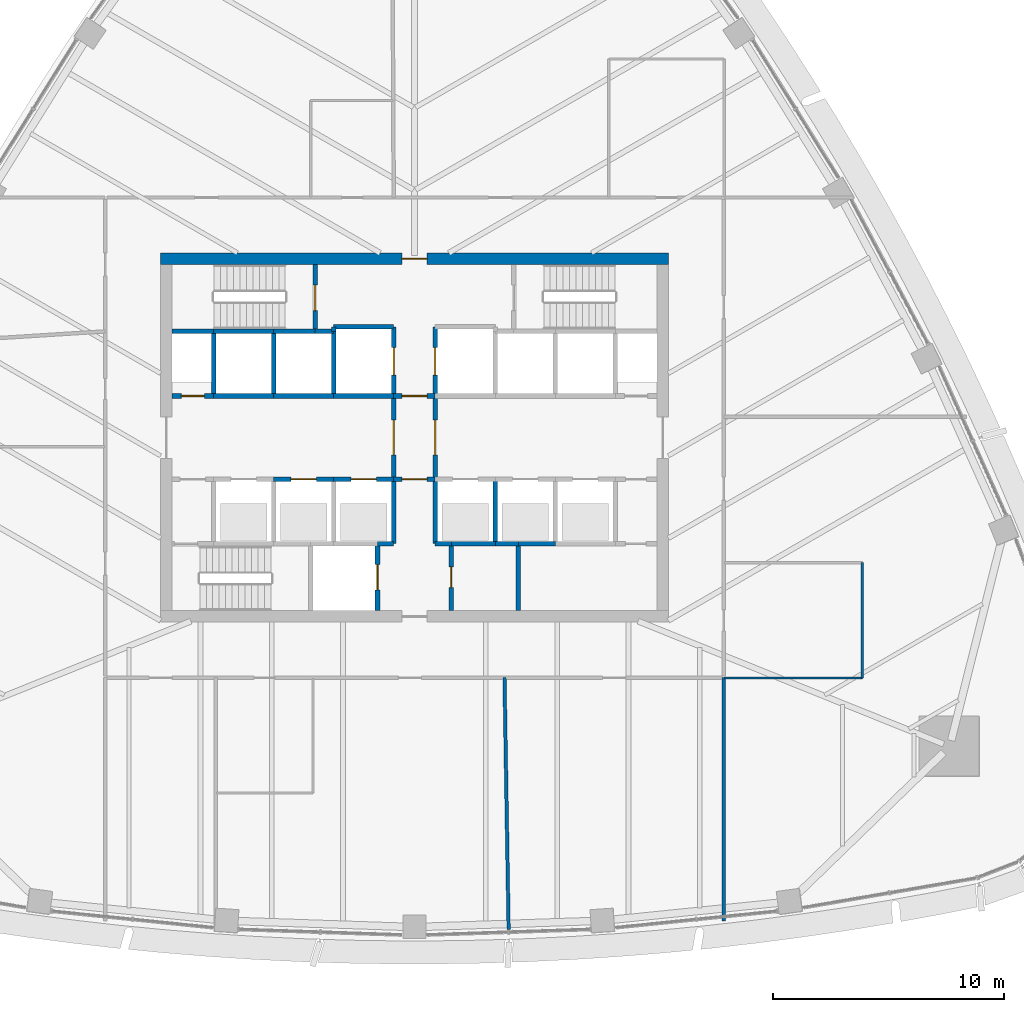
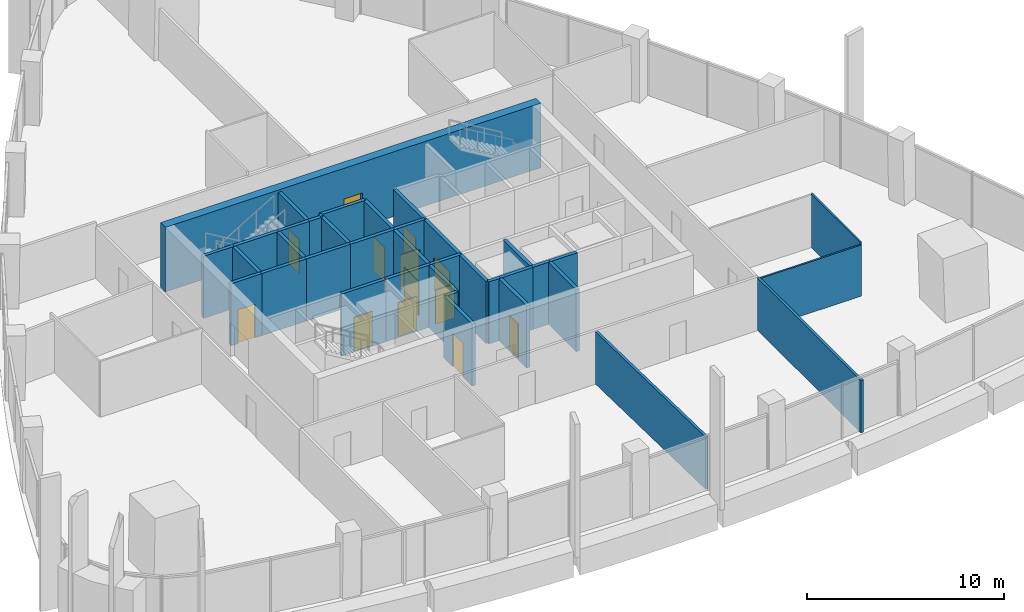
# One storey, part 10 of 19: 38 walls, 13 doors, 13 openings.
"""IFC4 building model written with IfcOpenShell, lengths in metres."""

import ifcopenshell
import ifcopenshell.guid

model = None  # the IFC model being written
_history = None  # IfcOwnerHistory: only IFC2X3 demands one
_inside = {}  # id of a spatial element -> (the spatial element, [elements in it])
_under = {}  # id of a project, library or spatial element -> (it, [spatial elements below it])
_declared = {}  # id of a project -> (the project, [libraries it declares])
_typed = {}  # id of a type object -> (the type object, [elements of that type])
_made_of = {}  # id of a material, layer set ... -> (it, [elements and type objects made of it])


def new_model(schema):
    """Start an empty IFC model of exactly this schema.

    Asked for "IFC4X3", IfcOpenShell would pick the latest addendum, in which some entities
    have other attributes; the version numbers below select the first issue.
    IFC2X3 requires an IfcOwnerHistory on every rooted entity: one is made here for all.
    """
    global model, _history
    if schema == "IFC4X3":
        model = ifcopenshell.file(schema_version=(4, 3, 0, 0))
    else:
        model = ifcopenshell.file(schema=schema)
    _inside.clear()
    _under.clear()
    _declared.clear()
    _typed.clear()
    _made_of.clear()
    _history = None
    if model.schema == "IFC2X3":
        org = make("IfcOrganization", Name="unknown")
        user = make(
            "IfcPersonAndOrganization",
            ThePerson=make("IfcPerson", FamilyName="unknown"),
            TheOrganization=org,
        )
        app = make(
            "IfcApplication",
            ApplicationDeveloper=org,
            Version="unknown",
            ApplicationFullName="unknown",
            ApplicationIdentifier="unknown",
        )
        _history = make(
            "IfcOwnerHistory",
            OwningUser=user,
            OwningApplication=app,
            ChangeAction="ADDED",
            CreationDate=0,
        )
    return model


def make(cls, **values):
    """One entity of the class cls with the attributes given. An attribute that is None is left unset."""
    return model.create_entity(
        cls, **{name: value for name, value in values.items() if value is not None}
    )


def rooted(cls, **values):
    """An entity with a GlobalId (a new one), such as an element, a storey or a relation."""
    return make(cls, GlobalId=ifcopenshell.guid.new(), OwnerHistory=_history, **values)


def si_unit(unit_type, name, prefix=None):
    """IfcSIUnit, for example si_unit("LENGTHUNIT", "METRE", prefix="MILLI")."""
    return make("IfcSIUnit", UnitType=unit_type, Prefix=prefix, Name=name)


def assignment(units):
    """IfcUnitAssignment: the units of a project."""
    return None if units is None else make("IfcUnitAssignment", Units=units)


def point(xyz):
    """IfcCartesianPoint."""
    return None if xyz is None else make("IfcCartesianPoint", Coordinates=xyz)


def direction(xyz):
    """IfcDirection."""
    return None if xyz is None else make("IfcDirection", DirectionRatios=xyz)


def frame(location, z_axis=None, x_axis=None):
    """IfcAxis2Placement3D, a coordinate frame: its origin and axes. An axis left out is left unset."""
    return make(
        "IfcAxis2Placement3D",
        Location=point(location),
        Axis=direction(z_axis),
        RefDirection=direction(x_axis),
    )


def frame_2d(location, x_axis=None):
    """IfcAxis2Placement2D, a coordinate frame in the plane: its origin and x axis."""
    return make(
        "IfcAxis2Placement2D", Location=point(location), RefDirection=direction(x_axis)
    )


def origin():
    """The frame at (0, 0, 0) with its axes left unset."""
    return frame((0.0, 0.0, 0.0))


def place(relative_to, where):
    """IfcLocalPlacement: puts the frame where relative to a parent placement (None: the world)."""
    return make(
        "IfcLocalPlacement", PlacementRelTo=relative_to, RelativePlacement=where
    )


def context(
    kind, dimensions, precision=None, world=None, true_north=None, identifier=None
):
    """IfcGeometricRepresentationContext, for example the 3D "Model" context."""
    return make(
        "IfcGeometricRepresentationContext",
        ContextIdentifier=identifier,
        ContextType=kind,
        CoordinateSpaceDimension=dimensions,
        Precision=precision,
        WorldCoordinateSystem=world,
        TrueNorth=true_north,
    )


def subcontext(parent, identifier, kind, view, scale=None):
    """IfcGeometricRepresentationSubContext, for example "Body" below "Model"."""
    return make(
        "IfcGeometricRepresentationSubContext",
        ContextIdentifier=identifier,
        ContextType=kind,
        ParentContext=parent,
        TargetScale=scale,
        TargetView=view,
    )


def project(units=None, contexts=None):
    """IfcProject with its units and contexts."""
    return rooted(
        "IfcProject",
        Name="project",
        RepresentationContexts=contexts,
        UnitsInContext=assignment(units),
    )


def spatial(cls, under=None, at=None, **own):
    """A site, building, storey or space (cls), placed at a placement, below another one or the project."""
    s = rooted(cls, ObjectPlacement=at, **own)
    if under is not None:
        _under.setdefault(under.id(), (under, []))[1].append(s)
    return s


def profile(cls, at=None, kind="AREA", **sizes):
    """A parametric profile (cls). Its sizes go by their IFC names, for example OverallWidth=200.0."""
    return make(cls, ProfileType=kind, Position=at, **sizes)


def rectangle(**sizes):
    """IfcRectangleProfileDef."""
    return profile("IfcRectangleProfileDef", **sizes)


def extrude(swept, where, along, depth):
    """IfcExtrudedAreaSolid: the profile swept, set in the frame where, extruded along a direction by depth."""
    return make(
        "IfcExtrudedAreaSolid",
        SweptArea=swept,
        Position=where,
        ExtrudedDirection=direction(along),
        Depth=depth,
    )


def shape(context_of_items, identifier, shape_type, items):
    """IfcShapeRepresentation: the items that make up one representation, for example the "Body"."""
    return make(
        "IfcShapeRepresentation",
        ContextOfItems=context_of_items,
        RepresentationIdentifier=identifier,
        RepresentationType=shape_type,
        Items=items,
    )


def material(Name=None, Category=None):
    """IfcMaterial."""
    return make("IfcMaterial", Name=Name, Category=Category)


def layer(
    of_material, thickness, ventilated=None, Name=None, Category=None, Priority=None
):
    """IfcMaterialLayer: one layer of a wall or slab, of a material (None: an air gap)."""
    return make(
        "IfcMaterialLayer",
        Material=of_material,
        LayerThickness=thickness,
        IsVentilated=ventilated,
        Name=Name,
        Category=Category,
        Priority=Priority,
    )


def layer_set(layers, Name=None):
    """IfcMaterialLayerSet."""
    return make("IfcMaterialLayerSet", MaterialLayers=layers, LayerSetName=Name)


def made_of(thing, what):
    """Note that an element or type object is made of a material, layer set ...; save() writes the relation."""
    if what is not None:
        _made_of.setdefault(what.id(), (what, []))[1].append(thing)
    return thing


def type_object(cls, material=None, **own):
    """A type object (cls), such as IfcWallType, which elements share."""
    return made_of(rooted(cls, **own), material)


def element(
    cls,
    number,
    at=None,
    inside=None,
    cuts=None,
    type_object=None,
    material=None,
    context=None,
    identifier="Body",
    shape_type=None,
    held_by="IfcProductDefinitionShape",
    body=None,
    shapes=None,
    **own,
):
    """One element of the class cls, such as IfcWall. Its Tag is "e" and its number.

    at: its placement. inside: the storey or other place that contains it. cuts: it is an
    opening in that element (IfcRelVoidsElement). A single representation is given by context,
    identifier, shape_type and body (its items); several are given by shapes. held_by: the class
    of the entity that holds the representations. save() writes the other relations.
    """
    e = rooted(cls, Tag="e%d" % number, ObjectPlacement=at, **own)
    if body is not None:
        shapes = [shape(context, identifier, shape_type, body)]
    if shapes is not None:
        e.Representation = make(held_by, Representations=shapes)
    if inside is not None:
        _inside.setdefault(inside.id(), (inside, []))[1].append(e)
    if cuts is not None:
        rooted(
            "IfcRelVoidsElement", RelatingBuildingElement=cuts, RelatedOpeningElement=e
        )
    if type_object is not None:
        _typed.setdefault(type_object.id(), (type_object, []))[1].append(e)
    return made_of(e, material)


def fill(opening, filler):
    """IfcRelFillsElement: the door or window that sits in an opening."""
    return rooted(
        "IfcRelFillsElement",
        RelatingOpeningElement=opening,
        RelatedBuildingElement=filler,
    )


def aggregate(whole, parts):
    """IfcRelAggregates: a whole, such as a stair, and the parts it consists of."""
    return rooted("IfcRelAggregates", RelatingObject=whole, RelatedObjects=parts)


def save(model, path):
    """Write the relations noted so far, then the file.

    IfcRelAggregates (storeys below a building ...), IfcRelContainedInSpatialStructure (elements
    in a storey), IfcRelDefinesByType, IfcRelAssociatesMaterial and IfcRelDeclares: one each for
    every whole, place, type object, material and project.
    """
    for whole, parts in _under.values():
        aggregate(whole, parts)
    for where, things in _inside.values():
        rooted(
            "IfcRelContainedInSpatialStructure",
            RelatedElements=things,
            RelatingStructure=where,
        )
    for kind, things in _typed.values():
        rooted("IfcRelDefinesByType", RelatedObjects=things, RelatingType=kind)
    for what, things in _made_of.values():
        rooted("IfcRelAssociatesMaterial", RelatedObjects=things, RelatingMaterial=what)
    for by, libraries in _declared.values():
        rooted("IfcRelDeclares", RelatingContext=by, RelatedDefinitions=libraries)
    model.write(path)


model = new_model("IFC4")

# Units and contexts
model_context = context("Model", 3, precision=1e-05, world=origin(), true_north=direction((0.0, 1.0)))
body_context = subcontext(model_context, "Body", "Model", "MODEL_VIEW")
ifc_project = project(units=[si_unit("LENGTHUNIT", "METRE"), si_unit("AREAUNIT", "SQUARE_METRE"), si_unit("VOLUMEUNIT", "CUBIC_METRE"), si_unit("PLANEANGLEUNIT", "RADIAN"), si_unit("MASSUNIT", "GRAM", prefix="KILO")], contexts=[model_context])

# Site, building, storey
site_placement = place(None, origin())
site = spatial("IfcSite", under=ifc_project, at=site_placement, CompositionType="ELEMENT")
building_placement = place(site_placement, origin())
building = spatial("IfcBuilding", under=site, at=building_placement, Name="Sierra Prisma Convention Tower", CompositionType="ELEMENT")
storey_placement = place(building_placement, frame((0.0, 0.0, 193.800048828125)))
storey = spatial("IfcBuildingStorey", under=building, at=storey_placement, Name="L43", CompositionType="ELEMENT", Elevation=193.800048828125)

# Walls
ifc_material_1 = material(Name="Gypsum board partition", Category="gypsum")
ifc_layer_1 = layer(ifc_material_1, 0.10009765625)
ifc_layer_set_1 = layer_set([ifc_layer_1], Name="Bathroom partition 100")
wall_type_1 = type_object("IfcWallType", Name="Bathroom partition 100", PredefinedType="PARTITIONING", material=ifc_layer_set_1)
wall_1_placement = place(storey_placement, frame((19.39990234375, -5.419921875, 0.0), z_axis=(0.0, 0.0, 1.0), x_axis=(0.0, -1.0, 0.0)))
element("IfcWall", 1, at=wall_1_placement, inside=storey, type_object=wall_type_1, Name="Partition L43 bath 11", PredefinedType="PARTITIONING", context=body_context, shape_type="SweptSolid", body=[
    extrude(rectangle(XDim=5.0, YDim=0.10009765625, at=frame_2d((2.5, 0.0))), origin(), (0.0, 0.0, 1.0), 3.31689453125),
])
wall_2_placement = place(storey_placement, frame((19.39990234375, -10.419921875, 0.0), z_axis=(0.0, 0.0, 1.0), x_axis=(-1.0, 0.0, 0.0)))
element("IfcWall", 2, at=wall_2_placement, inside=storey, type_object=wall_type_1, Name="Partition L43 bath 12", PredefinedType="PARTITIONING", context=body_context, shape_type="SweptSolid", body=[
    extrude(rectangle(XDim=5.969970703125, YDim=0.10009765625, at=frame_2d((2.98486328125, 0.0))), origin(), (0.0, 0.0, 1.0), 3.166015625),
])

# Wall, opening, door
ifc_material_2 = material(Name="Concrete C30/37", Category="concrete")
ifc_layer_2 = layer(ifc_material_2, 0.199951171875)
ifc_layer_set_2 = layer_set([ifc_layer_2], Name="Core wall RC 200 C30/37")
wall_type_2 = type_object("IfcWallType", Name="Core wall RC 200 C30/37", PredefinedType="SOLIDWALL", material=ifc_layer_set_2)
wall_3_placement = place(storey_placement, frame((-8.699951171875, 1.800048828125, 0.0), z_axis=(0.0, 0.0, 1.0), x_axis=(-1.0, 0.0, 0.0)))
wall_3 = element("IfcWall", 3, at=wall_3_placement, inside=storey, type_object=wall_type_2, Name="Core wall L43 3", PredefinedType="SOLIDWALL", context=body_context, shape_type="SweptSolid", body=[
    extrude(rectangle(XDim=1.800048828125, YDim=0.199951171875, at=frame_2d((0.89990234375, 0.0))), origin(), (0.0, 0.0, 1.0), 3.849853515625),
])
opening_1_placement = place(wall_3_placement, frame((0.39990234375, 0.0, 0.0)))
opening_1 = element("IfcOpeningElement", 4, at=opening_1_placement, cuts=wall_3, Name="Opening L43-D015", PredefinedType="OPENING", context=body_context, shape_type="SweptSolid", body=[
    extrude(rectangle(XDim=1.0, YDim=2.10009765625, at=frame_2d((0.5, 1.050048828125))), frame((0.0, 0.10009765625, 0.0), z_axis=(0.0, -1.0, 0.0), x_axis=(1.0, 0.0, 0.0)), (0.0, 0.0, 1.0), 0.199951171875),
])
ifc_material_3 = material(Name="Steel fire door leaf", Category="steel")
door_type_1 = type_object("IfcDoorType", Name="Door 1000x2100 FD60S", OperationType="SINGLE_SWING_LEFT", PredefinedType="DOOR", material=ifc_material_3)
door_1_placement = place(opening_1_placement, origin())
door_1 = element("IfcDoor", 5, at=door_1_placement, inside=storey, type_object=door_type_1, Name="Door L43 29", OperationType="SINGLE_SWING_RIGHT", OverallHeight=2.10009765625, OverallWidth=1.0, PredefinedType="DOOR", context=body_context, shape_type="SweptSolid", body=[
    extrude(rectangle(XDim=1.0, YDim=2.10009765625, at=frame_2d((0.5, 1.050048828125))), frame((0.0, 0.02490234375, 0.0), z_axis=(0.0, -1.0, 0.0), x_axis=(1.0, 0.0, 0.0)), (0.0, 0.0, 1.0), 0.050048828125),
])
fill(opening_1, door_1)

# Walls
wall_4_placement = place(storey_placement, frame((-8.699951171875, 4.60009765625, 0.0), z_axis=(0.0, 0.0, 1.0), x_axis=(-1.0, 0.0, 0.0)))
element("IfcWall", 6, at=wall_4_placement, inside=storey, type_object=wall_type_2, Name="Core wall L43 4", PredefinedType="SOLIDWALL", context=body_context, shape_type="SweptSolid", body=[
    extrude(rectangle(XDim=1.800048828125, YDim=0.199951171875, at=frame_2d((0.89990234375, 0.0))), origin(), (0.0, 0.0, 1.0), 3.849853515625),
])
wall_5_placement = place(storey_placement, frame((-6.10009765625, 1.800048828125, 0.0), z_axis=(0.0, 0.0, 1.0), x_axis=(-1.0, 0.0, 0.0)))
element("IfcWall", 7, at=wall_5_placement, inside=storey, type_object=wall_type_2, Name="Core wall L43 8", PredefinedType="SOLIDWALL", context=body_context, shape_type="SweptSolid", body=[
    extrude(rectangle(XDim=2.599853515625, YDim=0.199951171875, at=frame_2d((1.2998046875, 0.0))), origin(), (0.0, 0.0, 1.0), 3.849853515625),
])
wall_6_placement = place(storey_placement, frame((-8.699951171875, 1.800048828125, 0.0), z_axis=(0.0, 0.0, 1.0), x_axis=(0.0, 1.0, 0.0)))
element("IfcWall", 8, at=wall_6_placement, inside=storey, type_object=wall_type_2, Name="Core wall L43 9", PredefinedType="SOLIDWALL", context=body_context, shape_type="SweptSolid", body=[
    extrude(rectangle(XDim=2.800048828125, YDim=0.199951171875, at=frame_2d((1.39990234375, 0.0))), origin(), (0.0, 0.0, 1.0), 3.849853515625),
])
wall_7_placement = place(storey_placement, frame((-6.10009765625, 4.60009765625, 0.0), z_axis=(0.0, 0.0, 1.0), x_axis=(-1.0, 0.0, 0.0)))
element("IfcWall", 9, at=wall_7_placement, inside=storey, type_object=wall_type_2, Name="Core wall L43 10", PredefinedType="SOLIDWALL", context=body_context, shape_type="SweptSolid", body=[
    extrude(rectangle(XDim=2.599853515625, YDim=0.199951171875, at=frame_2d((1.2998046875, 0.0))), origin(), (0.0, 0.0, 1.0), 3.849853515625),
])

# Wall, opening, door
wall_8_placement = place(storey_placement, frame((-6.10009765625, -1.800048828125, 0.0), z_axis=(0.0, 0.0, 1.0), x_axis=(1.0, 0.0, 0.0)))
wall_8 = element("IfcWall", 10, at=wall_8_placement, inside=storey, type_object=wall_type_2, Name="Core wall L43 13", PredefinedType="SOLIDWALL", context=body_context, shape_type="SweptSolid", body=[
    extrude(rectangle(XDim=2.60009765625, YDim=0.199951171875, at=frame_2d((1.300048828125, 0.0))), origin(), (0.0, 0.0, 1.0), 3.849853515625),
])
opening_2_placement = place(wall_8_placement, frame((0.75, 0.0, 0.0)))
opening_2 = element("IfcOpeningElement", 11, at=opening_2_placement, cuts=wall_8, Name="Opening L43-D002", PredefinedType="OPENING", context=body_context, shape_type="SweptSolid", body=[
    extrude(rectangle(XDim=1.10009765625, YDim=2.10009765625, at=frame_2d((0.550048828125, 1.050048828125))), frame((0.0, 0.10009765625, 0.0), z_axis=(0.0, -1.0, 0.0), x_axis=(1.0, 0.0, 0.0)), (0.0, 0.0, 1.0), 0.199951171875),
])
ifc_material_4 = material(Name="Steel fire door leaf", Category="steel")
door_type_2 = type_object("IfcDoorType", Name="Door 1100x2100 EI 90 sliding lift landing", OperationType="SLIDING_TO_LEFT", PredefinedType="DOOR", material=ifc_material_4)
door_2_placement = place(opening_2_placement, origin())
door_2 = element("IfcDoor", 12, at=door_2_placement, inside=storey, type_object=door_type_2, Name="Door L43 16", OperationType="SLIDING_TO_RIGHT", OverallHeight=2.10009765625, OverallWidth=1.10009765625, PredefinedType="DOOR", context=body_context, shape_type="SweptSolid", body=[
    extrude(rectangle(XDim=1.10009765625, YDim=2.10009765625, at=frame_2d((0.550048828125, 1.050048828125))), frame((0.0, 0.02490234375, 0.0), z_axis=(0.0, -1.0, 0.0), x_axis=(1.0, 0.0, 0.0)), (0.0, 0.0, 1.0), 0.050048828125),
])
fill(opening_2, door_2)

# Walls
wall_9_placement = place(storey_placement, frame((-3.5, 1.800048828125, 0.0), z_axis=(0.0, 0.0, 1.0), x_axis=(-1.0, 0.0, 0.0)))
element("IfcWall", 13, at=wall_9_placement, inside=storey, type_object=wall_type_2, Name="Core wall L43 14", PredefinedType="SOLIDWALL", context=body_context, shape_type="SweptSolid", body=[
    extrude(rectangle(XDim=2.60009765625, YDim=0.199951171875, at=frame_2d((1.300048828125, 0.0))), origin(), (0.0, 0.0, 1.0), 3.849853515625),
])
wall_10_placement = place(storey_placement, frame((-6.10009765625, 1.800048828125, 0.0), z_axis=(0.0, 0.0, 1.0), x_axis=(0.0, 1.0, 0.0)))
element("IfcWall", 14, at=wall_10_placement, inside=storey, type_object=wall_type_2, Name="Core wall L43 15", PredefinedType="SOLIDWALL", context=body_context, shape_type="SweptSolid", body=[
    extrude(rectangle(XDim=2.800048828125, YDim=0.199951171875, at=frame_2d((1.39990234375, 0.0))), origin(), (0.0, 0.0, 1.0), 3.849853515625),
])
wall_11_placement = place(storey_placement, frame((-4.300048828125, 4.60009765625, 0.0), z_axis=(0.0, 0.0, 1.0), x_axis=(-1.0, 0.0, 0.0)))
element("IfcWall", 15, at=wall_11_placement, inside=storey, type_object=wall_type_2, Name="Core wall L43 16", PredefinedType="SOLIDWALL", context=body_context, shape_type="SweptSolid", body=[
    extrude(rectangle(XDim=1.800048828125, YDim=0.199951171875, at=frame_2d((0.89990234375, 0.0))), origin(), (0.0, 0.0, 1.0), 3.849853515625),
])
wall_12_placement = place(storey_placement, frame((-3.5, 4.60009765625, 0.0), z_axis=(0.0, 0.0, 1.0), x_axis=(-1.0, 0.0, 0.0)))
element("IfcWall", 16, at=wall_12_placement, inside=storey, type_object=wall_type_2, Name="Core wall L43 19", PredefinedType="SOLIDWALL", context=body_context, shape_type="SweptSolid", body=[
    extrude(rectangle(XDim=0.800048828125, YDim=0.199951171875, at=frame_2d((0.39990234375, 0.0))), origin(), (0.0, 0.0, 1.0), 3.849853515625),
])

# Wall, opening, door
wall_13_placement = place(storey_placement, frame((-4.300048828125, 4.60009765625, 0.0), z_axis=(0.0, 0.0, 1.0), x_axis=(0.0, 1.0, 0.0)))
wall_13 = element("IfcWall", 17, at=wall_13_placement, inside=storey, type_object=wall_type_2, Name="Core wall L43 20", PredefinedType="SOLIDWALL", context=body_context, shape_type="SweptSolid", body=[
    extrude(rectangle(XDim=2.89990234375, YDim=0.199951171875, at=frame_2d((1.449951171875, 0.0))), origin(), (0.0, 0.0, 1.0), 3.849853515625),
])
opening_3_placement = place(wall_13_placement, frame((0.89990234375, 0.0, 0.0)))
opening_3 = element("IfcOpeningElement", 18, at=opening_3_placement, cuts=wall_13, Name="Opening L43-D018", PredefinedType="OPENING", context=body_context, shape_type="SweptSolid", body=[
    extrude(rectangle(XDim=1.10009765625, YDim=2.10009765625, at=frame_2d((0.550048828125, 1.050048828125))), frame((0.0, 0.10009765625, 0.0), z_axis=(0.0, -1.0, 0.0), x_axis=(1.0, 0.0, 0.0)), (0.0, 0.0, 1.0), 0.199951171875),
])
ifc_material_5 = material(Name="Steel fire door leaf", Category="steel")
door_type_3 = type_object("IfcDoorType", Name="Door 1100x2100 FD90S", OperationType="SINGLE_SWING_LEFT", PredefinedType="DOOR", material=ifc_material_5)
door_3_placement = place(opening_3_placement, origin())
door_3 = element("IfcDoor", 19, at=door_3_placement, inside=storey, type_object=door_type_3, Name="Door L43 32", OperationType="SINGLE_SWING_RIGHT", OverallHeight=2.10009765625, OverallWidth=1.10009765625, PredefinedType="DOOR", context=body_context, shape_type="SweptSolid", body=[
    extrude(rectangle(XDim=1.10009765625, YDim=2.10009765625, at=frame_2d((0.550048828125, 1.050048828125))), frame((0.0, 0.02490234375, 0.0), z_axis=(0.0, -1.0, 0.0), x_axis=(1.0, 0.0, 0.0)), (0.0, 0.0, 1.0), 0.050048828125),
])
fill(opening_3, door_3)

wall_14_placement = place(storey_placement, frame((-3.5, -1.800048828125, 0.0), z_axis=(0.0, 0.0, 1.0), x_axis=(1.0, 0.0, 0.0)))
wall_14 = element("IfcWall", 20, at=wall_14_placement, inside=storey, type_object=wall_type_2, Name="Core wall L43 23", PredefinedType="SOLIDWALL", context=body_context, shape_type="SweptSolid", body=[
    extrude(rectangle(XDim=2.60009765625, YDim=0.199951171875, at=frame_2d((1.300048828125, 0.0))), origin(), (0.0, 0.0, 1.0), 3.849853515625),
])
opening_4_placement = place(wall_14_placement, frame((0.75, 0.0, 0.0)))
opening_4 = element("IfcOpeningElement", 21, at=opening_4_placement, cuts=wall_14, Name="Opening L43-D003", PredefinedType="OPENING", context=body_context, shape_type="SweptSolid", body=[
    extrude(rectangle(XDim=1.10009765625, YDim=2.10009765625, at=frame_2d((0.550048828125, 1.050048828125))), frame((0.0, 0.10009765625, 0.0), z_axis=(0.0, -1.0, 0.0), x_axis=(1.0, 0.0, 0.0)), (0.0, 0.0, 1.0), 0.199951171875),
])
door_4_placement = place(opening_4_placement, origin())
door_4 = element("IfcDoor", 22, at=door_4_placement, inside=storey, type_object=door_type_2, Name="Door L43 17", OperationType="SLIDING_TO_RIGHT", OverallHeight=2.10009765625, OverallWidth=1.10009765625, PredefinedType="DOOR", context=body_context, shape_type="SweptSolid", body=[
    extrude(rectangle(XDim=1.10009765625, YDim=2.10009765625, at=frame_2d((0.550048828125, 1.050048828125))), frame((0.0, 0.02490234375, 0.0), z_axis=(0.0, -1.0, 0.0), x_axis=(1.0, 0.0, 0.0)), (0.0, 0.0, 1.0), 0.050048828125),
])
fill(opening_4, door_4)

# Walls
wall_15_placement = place(storey_placement, frame((-0.89990234375, 1.800048828125, 0.0), z_axis=(0.0, 0.0, 1.0), x_axis=(-1.0, 0.0, 0.0)))
element("IfcWall", 23, at=wall_15_placement, inside=storey, type_object=wall_type_2, Name="Core wall L43 24", PredefinedType="SOLIDWALL", context=body_context, shape_type="SweptSolid", body=[
    extrude(rectangle(XDim=2.60009765625, YDim=0.199951171875, at=frame_2d((1.300048828125, 0.0))), origin(), (0.0, 0.0, 1.0), 3.849853515625),
])
wall_16_placement = place(storey_placement, frame((-3.5, 4.60009765625, 0.0), z_axis=(0.0, 0.0, 1.0), x_axis=(0.0, -1.0, 0.0)))
element("IfcWall", 24, at=wall_16_placement, inside=storey, type_object=wall_type_2, Name="Core wall L43 25", PredefinedType="SOLIDWALL", context=body_context, shape_type="SweptSolid", body=[
    extrude(rectangle(XDim=2.800048828125, YDim=0.199951171875, at=frame_2d((1.39990234375, 0.0))), origin(), (0.0, 0.0, 1.0), 3.849853515625),
])

# Wall, opening, door
wall_17_placement = place(storey_placement, frame((-0.89990234375, 1.800048828125, 0.0), z_axis=(0.0, 0.0, 1.0), x_axis=(0.0, 1.0, 0.0)))
wall_17 = element("IfcWall", 25, at=wall_17_placement, inside=storey, type_object=wall_type_2, Name="Core wall L43 26", PredefinedType="SOLIDWALL", context=body_context, shape_type="SweptSolid", body=[
    extrude(rectangle(XDim=3.0, YDim=0.199951171875, at=frame_2d((1.5, 0.0))), origin(), (0.0, 0.0, 1.0), 3.849853515625),
])
opening_5_placement = place(wall_17_placement, frame((0.89990234375, 0.0, 0.0)))
opening_5 = element("IfcOpeningElement", 26, at=opening_5_placement, cuts=wall_17, Name="Opening L43-D007", PredefinedType="OPENING", context=body_context, shape_type="SweptSolid", body=[
    extrude(rectangle(XDim=1.199951171875, YDim=2.10009765625, at=frame_2d((0.60009765625, 1.050048828125))), frame((0.0, 0.10009765625, 0.0), z_axis=(0.0, -1.0, 0.0), x_axis=(1.0, 0.0, 0.0)), (0.0, 0.0, 1.0), 0.199951171875),
])
ifc_material_6 = material(Name="Steel fire door leaf", Category="steel")
door_type_4 = type_object("IfcDoorType", Name="Door 1200x2100 EI 90 sliding lift landing", OperationType="SLIDING_TO_LEFT", PredefinedType="DOOR", material=ifc_material_6)
door_5_placement = place(opening_5_placement, origin())
door_5 = element("IfcDoor", 27, at=door_5_placement, inside=storey, type_object=door_type_4, Name="Door L43 21", OperationType="SLIDING_TO_LEFT", OverallHeight=2.10009765625, OverallWidth=1.199951171875, PredefinedType="DOOR", context=body_context, shape_type="SweptSolid", body=[
    extrude(rectangle(XDim=1.199951171875, YDim=2.10009765625, at=frame_2d((0.60009765625, 1.050048828125))), frame((0.0, 0.02490234375, 0.0), z_axis=(0.0, -1.0, 0.0), x_axis=(1.0, 0.0, 0.0)), (0.0, 0.0, 1.0), 0.050048828125),
])
fill(opening_5, door_5)

# Walls
wall_18_placement = place(storey_placement, frame((-0.89990234375, 4.800048828125, 0.0), z_axis=(0.0, 0.0, 1.0), x_axis=(-1.0, 0.0, 0.0)))
element("IfcWall", 28, at=wall_18_placement, inside=storey, type_object=wall_type_2, Name="Core wall L43 27", PredefinedType="SOLIDWALL", context=body_context, shape_type="SweptSolid", body=[
    extrude(rectangle(XDim=2.60009765625, YDim=0.199951171875, at=frame_2d((1.300048828125, 0.0))), origin(), (0.0, 0.0, 1.0), 3.849853515625),
])
wall_19_placement = place(storey_placement, frame((-3.5, 4.800048828125, 0.0), z_axis=(0.0, 0.0, 1.0), x_axis=(0.0, -1.0, 0.0)))
element("IfcWall", 29, at=wall_19_placement, inside=storey, type_object=wall_type_2, Name="Core wall L43 28", PredefinedType="SOLIDWALL", context=body_context, shape_type="SweptSolid", body=[
    extrude(rectangle(XDim=0.199951171875, YDim=0.199951171875, at=frame_2d((0.10009765625, 0.0))), origin(), (0.0, 0.0, 1.0), 3.849853515625),
])

# Wall, opening, door
wall_20_placement = place(storey_placement, frame((-1.60009765625, -7.5, 0.0), z_axis=(0.0, 0.0, 1.0), x_axis=(0.0, 1.0, 0.0)))
wall_20 = element("IfcWall", 30, at=wall_20_placement, inside=storey, type_object=wall_type_2, Name="Core wall L43 29", PredefinedType="SOLIDWALL", context=body_context, shape_type="SweptSolid", body=[
    extrude(rectangle(XDim=2.89990234375, YDim=0.199951171875, at=frame_2d((1.449951171875, 0.0))), origin(), (0.0, 0.0, 1.0), 3.849853515625),
])
opening_6_placement = place(wall_20_placement, frame((0.89990234375, 0.0, 0.0)))
opening_6 = element("IfcOpeningElement", 31, at=opening_6_placement, cuts=wall_20, Name="Opening L43-D009", PredefinedType="OPENING", context=body_context, shape_type="SweptSolid", body=[
    extrude(rectangle(XDim=1.10009765625, YDim=2.10009765625, at=frame_2d((0.550048828125, 1.050048828125))), frame((0.0, 0.10009765625, 0.0), z_axis=(0.0, -1.0, 0.0), x_axis=(1.0, 0.0, 0.0)), (0.0, 0.0, 1.0), 0.199951171875),
])
door_6_placement = place(opening_6_placement, origin())
door_6 = element("IfcDoor", 32, at=door_6_placement, inside=storey, type_object=door_type_2, Name="Door L43 23", OperationType="SLIDING_TO_RIGHT", OverallHeight=2.10009765625, OverallWidth=1.10009765625, PredefinedType="DOOR", context=body_context, shape_type="SweptSolid", body=[
    extrude(rectangle(XDim=1.10009765625, YDim=2.10009765625, at=frame_2d((0.550048828125, 1.050048828125))), frame((0.0, 0.02490234375, 0.0), z_axis=(0.0, -1.0, 0.0), x_axis=(1.0, 0.0, 0.0)), (0.0, 0.0, 1.0), 0.050048828125),
])
fill(opening_6, door_6)

# Walls
wall_21_placement = place(storey_placement, frame((-1.60009765625, -4.60009765625, 0.0), z_axis=(0.0, 0.0, 1.0), x_axis=(1.0, 0.0, 0.0)))
element("IfcWall", 33, at=wall_21_placement, inside=storey, type_object=wall_type_2, Name="Core wall L43 30", PredefinedType="SOLIDWALL", context=body_context, shape_type="SweptSolid", body=[
    extrude(rectangle(XDim=0.7001953125, YDim=0.199951171875, at=frame_2d((0.35009765625, 0.0))), origin(), (0.0, 0.0, 1.0), 3.849853515625),
])
wall_22_placement = place(storey_placement, frame((-0.89990234375, -4.60009765625, 0.0), z_axis=(0.0, 0.0, 1.0), x_axis=(0.0, 1.0, 0.0)))
element("IfcWall", 34, at=wall_22_placement, inside=storey, type_object=wall_type_2, Name="Core wall L43 31", PredefinedType="SOLIDWALL", context=body_context, shape_type="SweptSolid", body=[
    extrude(rectangle(XDim=2.800048828125, YDim=0.199951171875, at=frame_2d((1.39990234375, 0.0))), origin(), (0.0, 0.0, 1.0), 3.849853515625),
])

# Wall, opening, door
wall_23_placement = place(storey_placement, frame((-0.89990234375, -1.800048828125, 0.0), z_axis=(0.0, 0.0, 1.0), x_axis=(1.0, 0.0, 0.0)))
wall_23 = element("IfcWall", 35, at=wall_23_placement, inside=storey, type_object=wall_type_2, Name="Core wall L43 32", PredefinedType="SOLIDWALL", context=body_context, shape_type="SweptSolid", body=[
    extrude(rectangle(XDim=1.7998046875, YDim=0.199951171875, at=frame_2d((0.89990234375, 0.0))), origin(), (0.0, 0.0, 1.0), 3.849853515625),
])
opening_7_placement = place(wall_23_placement, frame((0.35009765625, 0.0, 0.0)))
opening_7 = element("IfcOpeningElement", 36, at=opening_7_placement, cuts=wall_23, Name="Opening L43-D014", PredefinedType="OPENING", context=body_context, shape_type="SweptSolid", body=[
    extrude(rectangle(XDim=1.10009765625, YDim=2.10009765625, at=frame_2d((0.550048828125, 1.050048828125))), frame((0.0, 0.10009765625, 0.0), z_axis=(0.0, -1.0, 0.0), x_axis=(1.0, 0.0, 0.0)), (0.0, 0.0, 1.0), 0.199951171875),
])
ifc_material_7 = material(Name="Steel fire door leaf", Category="steel")
door_type_5 = type_object("IfcDoorType", Name="Door 1100x2100 FD30S", OperationType="SINGLE_SWING_LEFT", PredefinedType="DOOR", material=ifc_material_7)
door_7_placement = place(opening_7_placement, origin())
door_7 = element("IfcDoor", 37, at=door_7_placement, inside=storey, type_object=door_type_5, Name="Door L43 28", OperationType="SINGLE_SWING_RIGHT", OverallHeight=2.10009765625, OverallWidth=1.10009765625, PredefinedType="DOOR", context=body_context, shape_type="SweptSolid", body=[
    extrude(rectangle(XDim=1.10009765625, YDim=2.10009765625, at=frame_2d((0.550048828125, 1.050048828125))), frame((0.0, 0.02490234375, 0.0), z_axis=(0.0, -1.0, 0.0), x_axis=(1.0, 0.0, 0.0)), (0.0, 0.0, 1.0), 0.050048828125),
])
fill(opening_7, door_7)

wall_24_placement = place(storey_placement, frame((-0.89990234375, 1.800048828125, 0.0), z_axis=(0.0, 0.0, 1.0), x_axis=(0.0, -1.0, 0.0)))
wall_24 = element("IfcWall", 38, at=wall_24_placement, inside=storey, type_object=wall_type_2, Name="Core wall L43 33", PredefinedType="SOLIDWALL", context=body_context, shape_type="SweptSolid", body=[
    extrude(rectangle(XDim=3.60009765625, YDim=0.199951171875, at=frame_2d((1.800048828125, 0.0))), origin(), (0.0, 0.0, 1.0), 3.849853515625),
])
opening_8_placement = place(wall_24_placement, frame((1.050048828125, 0.0, 0.0)))
opening_8 = element("IfcOpeningElement", 39, at=opening_8_placement, cuts=wall_24, Name="Opening L43-D010", PredefinedType="OPENING", context=body_context, shape_type="SweptSolid", body=[
    extrude(rectangle(XDim=1.5, YDim=2.10009765625, at=frame_2d((0.75, 1.050048828125))), frame((0.0, 0.10009765625, 0.0), z_axis=(0.0, -1.0, 0.0), x_axis=(1.0, 0.0, 0.0)), (0.0, 0.0, 1.0), 0.199951171875),
])
ifc_material_8 = material(Name="Steel fire door leaf", Category="steel")
door_type_6 = type_object("IfcDoorType", Name="Door 1500x2100 FD30S", OperationType="DOUBLE_DOOR_SINGLE_SWING", PredefinedType="DOOR", material=ifc_material_8)
door_8_placement = place(opening_8_placement, origin())
door_8 = element("IfcDoor", 40, at=door_8_placement, inside=storey, type_object=door_type_6, Name="Door L43 24", OperationType="DOUBLE_DOOR_SINGLE_SWING", OverallHeight=2.10009765625, OverallWidth=1.5, PredefinedType="DOOR", context=body_context, shape_type="SweptSolid", body=[
    extrude(rectangle(XDim=1.5, YDim=2.10009765625, at=frame_2d((0.75, 1.050048828125))), frame((0.0, 0.02490234375, 0.0), z_axis=(0.0, -1.0, 0.0), x_axis=(1.0, 0.0, 0.0)), (0.0, 0.0, 1.0), 0.050048828125),
])
fill(opening_8, door_8)

wall_25_placement = place(storey_placement, frame((0.89990234375, 1.800048828125, 0.0), z_axis=(0.0, 0.0, 1.0), x_axis=(-1.0, 0.0, 0.0)))
wall_25 = element("IfcWall", 41, at=wall_25_placement, inside=storey, type_object=wall_type_2, Name="Core wall L43 34", PredefinedType="SOLIDWALL", context=body_context, shape_type="SweptSolid", body=[
    extrude(rectangle(XDim=1.7998046875, YDim=0.199951171875, at=frame_2d((0.89990234375, 0.0))), origin(), (0.0, 0.0, 1.0), 3.849853515625),
])
opening_9_placement = place(wall_25_placement, frame((0.35009765625, 0.0, 0.0)))
opening_9 = element("IfcOpeningElement", 42, at=opening_9_placement, cuts=wall_25, Name="Opening L43-D013", PredefinedType="OPENING", context=body_context, shape_type="SweptSolid", body=[
    extrude(rectangle(XDim=1.10009765625, YDim=2.10009765625, at=frame_2d((0.550048828125, 1.050048828125))), frame((0.0, 0.10009765625, 0.0), z_axis=(0.0, -1.0, 0.0), x_axis=(1.0, 0.0, 0.0)), (0.0, 0.0, 1.0), 0.199951171875),
])
ifc_material_9 = material(Name="Steel fire door leaf", Category="steel")
door_type_7 = type_object("IfcDoorType", Name="Door 1100x2100 FD60S", OperationType="SINGLE_SWING_LEFT", PredefinedType="DOOR", material=ifc_material_9)
door_9_placement = place(opening_9_placement, origin())
door_9 = element("IfcDoor", 43, at=door_9_placement, inside=storey, type_object=door_type_7, Name="Door L43 27", OperationType="SINGLE_SWING_LEFT", OverallHeight=2.10009765625, OverallWidth=1.10009765625, PredefinedType="DOOR", context=body_context, shape_type="SweptSolid", body=[
    extrude(rectangle(XDim=1.10009765625, YDim=2.10009765625, at=frame_2d((0.550048828125, 1.050048828125))), frame((0.0, 0.02490234375, 0.0), z_axis=(0.0, -1.0, 0.0), x_axis=(1.0, 0.0, 0.0)), (0.0, 0.0, 1.0), 0.050048828125),
])
fill(opening_9, door_9)

wall_26_placement = place(storey_placement, frame((0.89990234375, -1.800048828125, 0.0), z_axis=(0.0, 0.0, 1.0), x_axis=(0.0, 1.0, 0.0)))
wall_26 = element("IfcWall", 44, at=wall_26_placement, inside=storey, type_object=wall_type_2, Name="Core wall L43 36", PredefinedType="SOLIDWALL", context=body_context, shape_type="SweptSolid", body=[
    extrude(rectangle(XDim=3.60009765625, YDim=0.199951171875, at=frame_2d((1.800048828125, 0.0))), origin(), (0.0, 0.0, 1.0), 3.849853515625),
])
opening_10_placement = place(wall_26_placement, frame((1.050048828125, 0.0, 0.0)))
opening_10 = element("IfcOpeningElement", 45, at=opening_10_placement, cuts=wall_26, Name="Opening L43-D011", PredefinedType="OPENING", context=body_context, shape_type="SweptSolid", body=[
    extrude(rectangle(XDim=1.5, YDim=2.10009765625, at=frame_2d((0.75, 1.050048828125))), frame((0.0, 0.10009765625, 0.0), z_axis=(0.0, -1.0, 0.0), x_axis=(1.0, 0.0, 0.0)), (0.0, 0.0, 1.0), 0.199951171875),
])
door_10_placement = place(opening_10_placement, origin())
door_10 = element("IfcDoor", 46, at=door_10_placement, inside=storey, type_object=door_type_6, Name="Door L43 25", OperationType="DOUBLE_DOOR_SINGLE_SWING", OverallHeight=2.10009765625, OverallWidth=1.5, PredefinedType="DOOR", context=body_context, shape_type="SweptSolid", body=[
    extrude(rectangle(XDim=1.5, YDim=2.10009765625, at=frame_2d((0.75, 1.050048828125))), frame((0.0, 0.02490234375, 0.0), z_axis=(0.0, -1.0, 0.0), x_axis=(1.0, 0.0, 0.0)), (0.0, 0.0, 1.0), 0.050048828125),
])
fill(opening_10, door_10)

# Walls
wall_27_placement = place(storey_placement, frame((0.89990234375, -1.800048828125, 0.0), z_axis=(0.0, 0.0, 1.0), x_axis=(0.0, -1.0, 0.0)))
element("IfcWall", 47, at=wall_27_placement, inside=storey, type_object=wall_type_2, Name="Core wall L43 37", PredefinedType="SOLIDWALL", context=body_context, shape_type="SweptSolid", body=[
    extrude(rectangle(XDim=2.800048828125, YDim=0.199951171875, at=frame_2d((1.39990234375, 0.0))), origin(), (0.0, 0.0, 1.0), 3.849853515625),
])
wall_28_placement = place(storey_placement, frame((0.89990234375, -4.60009765625, 0.0), z_axis=(0.0, 0.0, 1.0), x_axis=(1.0, 0.0, 0.0)))
element("IfcWall", 48, at=wall_28_placement, inside=storey, type_object=wall_type_2, Name="Core wall L43 38", PredefinedType="SOLIDWALL", context=body_context, shape_type="SweptSolid", body=[
    extrude(rectangle(XDim=0.7001953125, YDim=0.199951171875, at=frame_2d((0.35009765625, 0.0))), origin(), (0.0, 0.0, 1.0), 3.849853515625),
])

# Wall, opening, door
wall_29_placement = place(storey_placement, frame((0.89990234375, 4.800048828125, 0.0), z_axis=(0.0, 0.0, 1.0), x_axis=(0.0, -1.0, 0.0)))
wall_29 = element("IfcWall", 49, at=wall_29_placement, inside=storey, type_object=wall_type_2, Name="Core wall L43 42", PredefinedType="SOLIDWALL", context=body_context, shape_type="SweptSolid", body=[
    extrude(rectangle(XDim=3.0, YDim=0.199951171875, at=frame_2d((1.5, 0.0))), origin(), (0.0, 0.0, 1.0), 3.849853515625),
])
opening_11_placement = place(wall_29_placement, frame((0.89990234375, 0.0, 0.0)))
opening_11 = element("IfcOpeningElement", 50, at=opening_11_placement, cuts=wall_29, Name="Opening L43-D008", PredefinedType="OPENING", context=body_context, shape_type="SweptSolid", body=[
    extrude(rectangle(XDim=1.199951171875, YDim=2.10009765625, at=frame_2d((0.60009765625, 1.050048828125))), frame((0.0, 0.10009765625, 0.0), z_axis=(0.0, -1.0, 0.0), x_axis=(1.0, 0.0, 0.0)), (0.0, 0.0, 1.0), 0.199951171875),
])
door_11_placement = place(opening_11_placement, origin())
door_11 = element("IfcDoor", 51, at=door_11_placement, inside=storey, type_object=door_type_4, Name="Door L43 22", OperationType="SLIDING_TO_LEFT", OverallHeight=2.10009765625, OverallWidth=1.199951171875, PredefinedType="DOOR", context=body_context, shape_type="SweptSolid", body=[
    extrude(rectangle(XDim=1.199951171875, YDim=2.10009765625, at=frame_2d((0.60009765625, 1.050048828125))), frame((0.0, 0.02490234375, 0.0), z_axis=(0.0, -1.0, 0.0), x_axis=(1.0, 0.0, 0.0)), (0.0, 0.0, 1.0), 0.050048828125),
])
fill(opening_11, door_11)

wall_30_placement = place(storey_placement, frame((1.60009765625, -4.60009765625, 0.0), z_axis=(0.0, 0.0, 1.0), x_axis=(0.0, -1.0, 0.0)))
wall_30 = element("IfcWall", 52, at=wall_30_placement, inside=storey, type_object=wall_type_2, Name="Core wall L43 43", PredefinedType="SOLIDWALL", context=body_context, shape_type="SweptSolid", body=[
    extrude(rectangle(XDim=2.89990234375, YDim=0.199951171875, at=frame_2d((1.449951171875, 0.0))), origin(), (0.0, 0.0, 1.0), 3.849853515625),
])
opening_12_placement = place(wall_30_placement, frame((1.0, 0.0, 0.0)))
opening_12 = element("IfcOpeningElement", 53, at=opening_12_placement, cuts=wall_30, Name="Opening L43-D022", PredefinedType="OPENING", context=body_context, shape_type="SweptSolid", body=[
    extrude(rectangle(XDim=0.89990234375, YDim=2.10009765625, at=frame_2d((0.449951171875, 1.050048828125))), frame((0.0, 0.10009765625, 0.0), z_axis=(0.0, -1.0, 0.0), x_axis=(1.0, 0.0, 0.0)), (0.0, 0.0, 1.0), 0.199951171875),
])
ifc_material_10 = material(Name="Steel fire door leaf", Category="steel")
door_type_8 = type_object("IfcDoorType", Name="Door 900x2100 FD30S", OperationType="SINGLE_SWING_LEFT", PredefinedType="DOOR", material=ifc_material_10)
door_12_placement = place(opening_12_placement, origin())
door_12 = element("IfcDoor", 54, at=door_12_placement, inside=storey, type_object=door_type_8, Name="Door L43 36", OperationType="SINGLE_SWING_LEFT", OverallHeight=2.10009765625, OverallWidth=0.89990234375, PredefinedType="DOOR", context=body_context, shape_type="SweptSolid", body=[
    extrude(rectangle(XDim=0.89990234375, YDim=2.10009765625, at=frame_2d((0.449951171875, 1.050048828125))), frame((0.0, 0.02490234375, 0.0), z_axis=(0.0, -1.0, 0.0), x_axis=(1.0, 0.0, 0.0)), (0.0, 0.0, 1.0), 0.050048828125),
])
fill(opening_12, door_12)

# Walls
wall_31_placement = place(storey_placement, frame((3.5, -4.60009765625, 0.0), z_axis=(0.0, 0.0, 1.0), x_axis=(-1.0, 0.0, 0.0)))
element("IfcWall", 55, at=wall_31_placement, inside=storey, type_object=wall_type_2, Name="Core wall L43 44", PredefinedType="SOLIDWALL", context=body_context, shape_type="SweptSolid", body=[
    extrude(rectangle(XDim=1.89990234375, YDim=0.199951171875, at=frame_2d((0.949951171875, 0.0))), origin(), (0.0, 0.0, 1.0), 3.849853515625),
])
wall_32_placement = place(storey_placement, frame((4.5, -4.60009765625, 0.0), z_axis=(0.0, 0.0, 1.0), x_axis=(-1.0, 0.0, 0.0)))
element("IfcWall", 56, at=wall_32_placement, inside=storey, type_object=wall_type_2, Name="Core wall L43 45", PredefinedType="SOLIDWALL", context=body_context, shape_type="SweptSolid", body=[
    extrude(rectangle(XDim=1.0, YDim=0.199951171875, at=frame_2d((0.5, 0.0))), origin(), (0.0, 0.0, 1.0), 3.849853515625),
])
wall_33_placement = place(storey_placement, frame((3.5, -4.60009765625, 0.0), z_axis=(0.0, 0.0, 1.0), x_axis=(0.0, 1.0, 0.0)))
element("IfcWall", 57, at=wall_33_placement, inside=storey, type_object=wall_type_2, Name="Core wall L43 46", PredefinedType="SOLIDWALL", context=body_context, shape_type="SweptSolid", body=[
    extrude(rectangle(XDim=2.800048828125, YDim=0.199951171875, at=frame_2d((1.39990234375, 0.0))), origin(), (0.0, 0.0, 1.0), 3.849853515625),
])
wall_34_placement = place(storey_placement, frame((4.5, -4.60009765625, 0.0), z_axis=(0.0, 0.0, 1.0), x_axis=(0.0, -1.0, 0.0)))
element("IfcWall", 58, at=wall_34_placement, inside=storey, type_object=wall_type_2, Name="Core wall L43 53", PredefinedType="SOLIDWALL", context=body_context, shape_type="SweptSolid", body=[
    extrude(rectangle(XDim=2.89990234375, YDim=0.199951171875, at=frame_2d((1.449951171875, 0.0))), origin(), (0.0, 0.0, 1.0), 3.849853515625),
])
wall_35_placement = place(storey_placement, frame((6.10009765625, -4.60009765625, 0.0), z_axis=(0.0, 0.0, 1.0), x_axis=(-1.0, 0.0, 0.0)))
element("IfcWall", 59, at=wall_35_placement, inside=storey, type_object=wall_type_2, Name="Core wall L43 54", PredefinedType="SOLIDWALL", context=body_context, shape_type="SweptSolid", body=[
    extrude(rectangle(XDim=1.60009765625, YDim=0.199951171875, at=frame_2d((0.800048828125, 0.0))), origin(), (0.0, 0.0, 1.0), 3.849853515625),
])

# Wall, opening, door
ifc_material_11 = material(Name="Concrete C60/75", Category="concrete")
ifc_layer_3 = layer(ifc_material_11, 0.5)
ifc_layer_set_3 = layer_set([ifc_layer_3], Name="Core wall RC 500 C60/75")
wall_type_3 = type_object("IfcWallType", Name="Core wall RC 500 C60/75", PredefinedType="SHEAR", material=ifc_layer_set_3)
wall_36_placement = place(storey_placement, frame((-11.0, 7.75, 0.0), z_axis=(0.0, 0.0, 1.0), x_axis=(1.0, 0.0, 0.0)))
wall_36 = element("IfcWall", 60, at=wall_36_placement, inside=storey, type_object=wall_type_3, Name="Core wall N L43", PredefinedType="SHEAR", context=body_context, shape_type="SweptSolid", body=[
    extrude(rectangle(XDim=22.0, YDim=0.5, at=frame_2d((11.0, 0.0))), origin(), (0.0, 0.0, 1.0), 4.0),
])
opening_13_placement = place(wall_36_placement, frame((10.449951171875, 0.0, 0.0)))
opening_13 = element("IfcOpeningElement", 61, at=opening_13_placement, cuts=wall_36, Name="Opening L43-D038", PredefinedType="OPENING", context=body_context, shape_type="SweptSolid", body=[
    extrude(rectangle(XDim=1.10009765625, YDim=2.10009765625, at=frame_2d((0.550048828125, 1.050048828125))), frame((0.0, 0.25, 0.0), z_axis=(0.0, -1.0, 0.0), x_axis=(1.0, 0.0, 0.0)), (0.0, 0.0, 1.0), 0.5),
])
door_13_placement = place(opening_13_placement, origin())
door_13 = element("IfcDoor", 62, at=door_13_placement, inside=storey, type_object=door_type_7, Name="Door L43 39", OperationType="SINGLE_SWING_LEFT", OverallHeight=2.10009765625, OverallWidth=1.10009765625, PredefinedType="DOOR", context=body_context, shape_type="SweptSolid", body=[
    extrude(rectangle(XDim=1.10009765625, YDim=2.10009765625, at=frame_2d((0.550048828125, 1.050048828125))), frame((0.0, 0.02490234375, 0.0), z_axis=(0.0, -1.0, 0.0), x_axis=(1.0, 0.0, 0.0)), (0.0, 0.0, 1.0), 0.050048828125),
])
fill(opening_13, door_13)

# Walls
ifc_material_12 = material(Name="Gypsum board partition", Category="gypsum")
ifc_layer_4 = layer(ifc_material_12, 0.14990234375)
ifc_layer_set_4 = layer_set([ifc_layer_4], Name="Party wall 150 gypsum")
wall_type_4 = type_object("IfcWallType", Name="Party wall 150 gypsum", PredefinedType="PARTITIONING", material=ifc_layer_set_4)
wall_37_placement = place(storey_placement, frame((3.89990234375, -10.39990234375, 0.0), z_axis=(0.0, 0.0, 1.0), x_axis=(0.016362664918, -0.999866122637, 0.0)))
element("IfcWall", 63, at=wall_37_placement, inside=storey, type_object=wall_type_4, Name="Partition L43 party 6", PredefinedType="PARTITIONING", context=body_context, shape_type="SweptSolid", body=[
    extrude(rectangle(XDim=10.921875, YDim=0.14990234375, at=frame_2d((5.4609375, 0.0))), origin(), (0.0, 0.0, 1.0), 3.23388671875),
])
wall_38_placement = place(storey_placement, frame((13.39990234375, -10.39990234375, 0.0), z_axis=(0.0, 0.0, 1.0), x_axis=(0.0, -1.0, 0.0)))
element("IfcWall", 64, at=wall_38_placement, inside=storey, type_object=wall_type_4, Name="Partition L43 party 7", PredefinedType="PARTITIONING", context=body_context, shape_type="SweptSolid", body=[
    extrude(rectangle(XDim=10.53955078125, YDim=0.14990234375, at=frame_2d((5.269775390625, 0.0))), origin(), (0.0, 0.0, 1.0), 3.23388671875),
])

save(model, "model.ifc")
